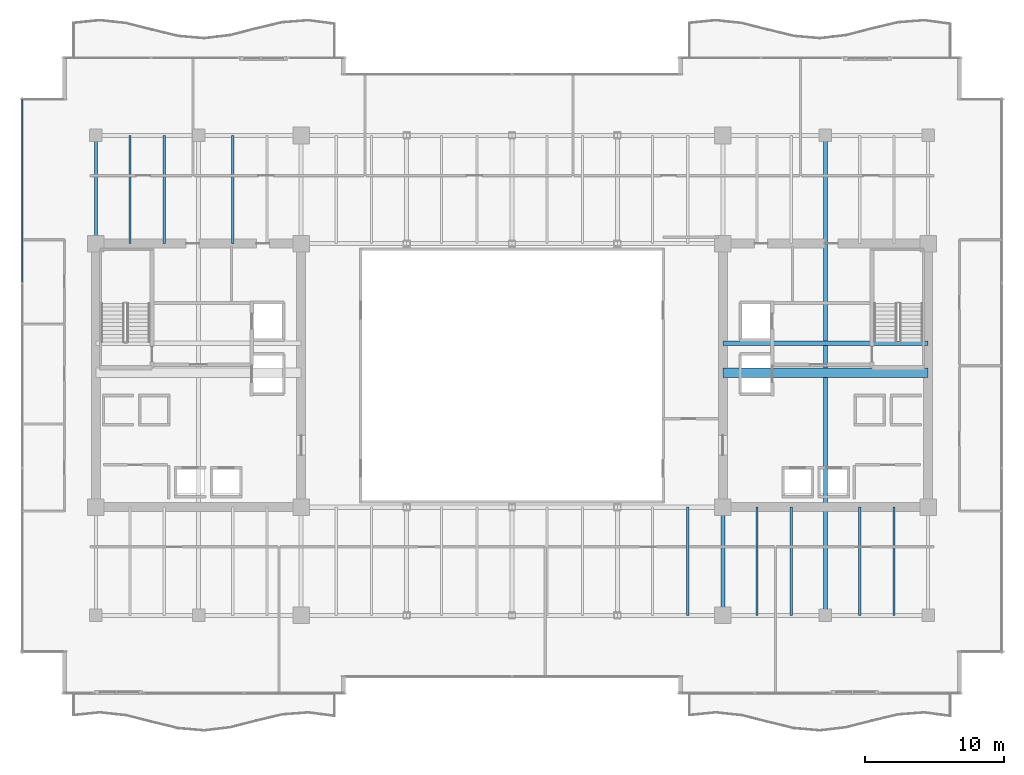
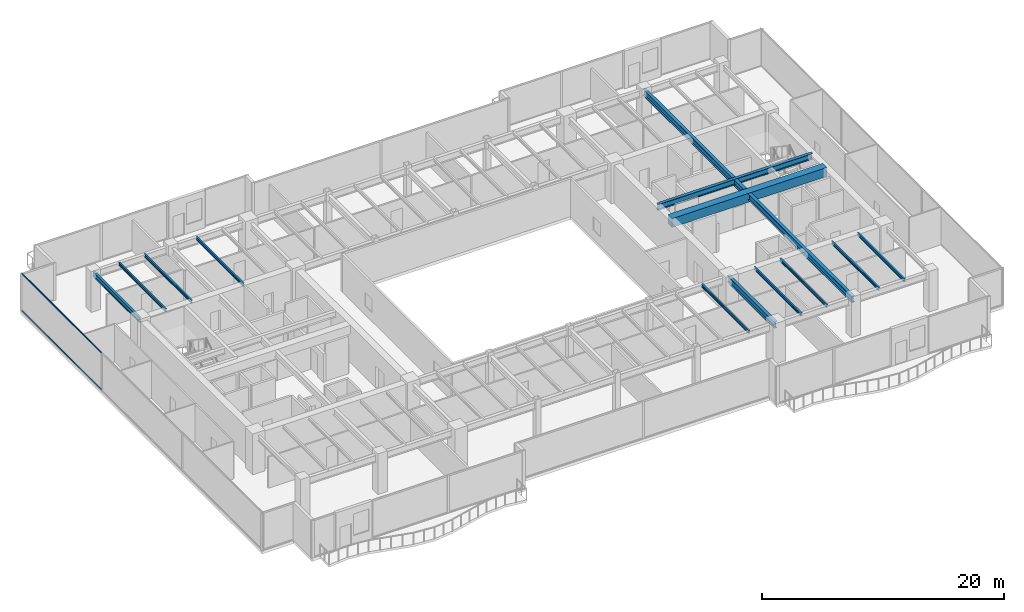
# One storey, part 11 of 30: 13 beams, 2 members, 1 element without a shape of its own.
"""IFC4 building model written with IfcOpenShell, lengths in metres."""

from ifc_helpers import new_model, si_unit, direction, frame, origin, origin_2d, place, context, subcontext, project, spatial, rectangle, hollow_rectangle, i_section, extrude, source, transform, mapped, material, layer, layer_set, material_profile, profile_set, type_object, type_shapes, element, aggregate, save


model = new_model("IFC4")

# Units and contexts
model_context = context("Model", 3, precision=1e-05, world=origin(), true_north=direction((0.0, 1.0)))
body_context = subcontext(model_context, "Body", "Model", "MODEL_VIEW")
ifc_project = project(units=[si_unit("LENGTHUNIT", "METRE"), si_unit("AREAUNIT", "SQUARE_METRE"), si_unit("VOLUMEUNIT", "CUBIC_METRE"), si_unit("PLANEANGLEUNIT", "RADIAN"), si_unit("MASSUNIT", "GRAM", prefix="KILO")], contexts=[model_context])

# Site, building, storey
site_placement = place(None, origin())
site = spatial("IfcSite", under=ifc_project, at=site_placement, CompositionType="ELEMENT")
building_placement = place(site_placement, origin())
building = spatial("IfcBuilding", under=site, at=building_placement, Name="Haelvirn Gate Laboratories", CompositionType="ELEMENT")
storey_placement = place(building_placement, frame((0.0, 0.0, 113.300048828125)))
storey = spatial("IfcBuildingStorey", under=building, at=storey_placement, Name="L27", CompositionType="ELEMENT", Elevation=113.300048828125)

# Beams
ifc_material_1 = material(Name="Concrete C60/75", Category="concrete")
ifc_material_profile_1 = material_profile(ifc_material_1, rectangle(XDim=0.699951171875, YDim=0.89990234375, at=origin_2d()), Name="RCB-700x900")
ifc_profile_set_1 = profile_set([ifc_material_profile_1], Name="Concrete C60/75")
beam_type_1 = type_object("IfcBeamType", Name="BM-RCB-900", PredefinedType="LINTEL", material=ifc_profile_set_1)
shared_shape_1 = source(origin(), body_context, "Body", "SweptSolid", [
    extrude(rectangle(XDim=0.699951171875, YDim=0.89990234375, at=origin_2d()), origin(), (0.0, 0.0, 1.0), 14.7998046875),
])
type_shapes(beam_type_1, [shared_shape_1])
beam_1_placement = place(storey_placement, frame((52.60009765625, 24.5, 3.33984375), z_axis=(1.0, 0.0, 0.0), x_axis=(0.0, 1.0, 0.0)))
element("IfcBeam", 1, at=beam_1_placement, inside=storey, type_object=beam_type_1, Name="L27 East Core Coupling Beam", PredefinedType="LINTEL", context=body_context, shape_type="MappedRepresentation", body=[
    mapped(shared_shape_1, transform((0.0, 0.0, 0.0), scale=1.0)),
])
ifc_material_2 = material(Name="Steel SM355", Category="steel")
ifc_material_profile_2 = material_profile(ifc_material_2, i_section(OverallWidth=0.300048828125, OverallDepth=0.587890625, WebThickness=0.011962890625, FlangeThickness=0.02001953125, at=origin_2d()), Name="H-588x300x12x20")
ifc_profile_set_2 = profile_set([ifc_material_profile_2], Name="Steel SM355")
beam_type_2 = type_object("IfcBeamType", Name="BM-G-588", PredefinedType="BEAM", material=ifc_profile_set_2)
shared_shape_2 = source(origin(), body_context, "Body", "SweptSolid", [
    extrude(i_section(OverallWidth=0.300048828125, OverallDepth=0.587890625, WebThickness=0.011962890625, FlangeThickness=0.02001953125, at=origin_2d()), origin(), (0.0, 0.0, 1.0), 14.7998046875),
])
type_shapes(beam_type_2, [shared_shape_2])
beam_2_placement = place(storey_placement, frame((52.60009765625, 26.6201171875, 3.495849609375), z_axis=(1.0, 0.0, 0.0), x_axis=(0.0, 1.0, 0.0)))
element("IfcBeam", 2, at=beam_2_placement, inside=storey, type_object=beam_type_2, Name="L27 Stair ST2 Landing Header", PredefinedType="BEAM", context=body_context, shape_type="MappedRepresentation", body=[
    mapped(shared_shape_2, transform((0.0, 0.0, 0.0), scale=1.0)),
])
ifc_material_profile_3 = material_profile(ifc_material_2, i_section(OverallWidth=0.199951171875, OverallDepth=0.5, WebThickness=0.010009765625, FlangeThickness=0.01611328125, at=origin_2d()), Name="H-500x200x10x16")
ifc_profile_set_3 = profile_set([ifc_material_profile_3], Name="Steel SM355")
beam_type_3 = type_object("IfcBeamType", Name="BM-SP-500", PredefinedType="SPANDREL", material=ifc_profile_set_3)
shared_shape_3 = source(origin(), body_context, "Body", "SweptSolid", [
    extrude(i_section(OverallWidth=0.199951171875, OverallDepth=0.5, WebThickness=0.010009765625, FlangeThickness=0.01611328125, at=origin_2d()), origin(), (0.0, 0.0, 1.0), 7.800048828125),
])
type_shapes(beam_type_3, [shared_shape_3])
beam_3_placement = place(storey_placement, frame((7.39990234375, 33.800048828125, 3.5400390625), z_axis=(0.0, 1.0, 0.0), x_axis=(-1.0, 0.0, 0.0)))
element("IfcBeam", 3, at=beam_3_placement, inside=storey, type_object=beam_type_3, Name="L27 Perimeter Spandrel X7.4 (33.8-41.6)", PredefinedType="SPANDREL", context=body_context, shape_type="MappedRepresentation", body=[
    mapped(shared_shape_3, transform((0.0, 0.0, 0.0), scale=1.0)),
])
ifc_material_profile_4 = material_profile(ifc_material_2, i_section(OverallWidth=0.300048828125, OverallDepth=0.64990234375, WebThickness=0.012939453125, FlangeThickness=0.02197265625, at=origin_2d()), Name="H-650x300x13x22")
ifc_profile_set_4 = profile_set([ifc_material_profile_4], Name="Steel SM355")
beam_type_4 = type_object("IfcBeamType", Name="BM-G-650", PredefinedType="BEAM", material=ifc_profile_set_4)
shared_shape_4 = source(origin(), body_context, "Body", "SweptSolid", [
    extrude(i_section(OverallWidth=0.300048828125, OverallDepth=0.64990234375, WebThickness=0.012939453125, FlangeThickness=0.02197265625, at=origin_2d()), origin(), (0.0, 0.0, 1.0), 34.60009765625),
])
beam_4_placement = place(storey_placement, frame((60.0, 7.0, 3.46484375), z_axis=(0.0, 1.0, 0.0), x_axis=(-1.0, 0.0, 0.0)))
element("IfcBeam", 4, at=beam_4_placement, inside=storey, type_object=beam_type_4, Name="L27 Frame Girder X60.0 (7.0-41.6)", PredefinedType="BEAM", context=body_context, shape_type="MappedRepresentation", body=[
    mapped(shared_shape_4, transform((0.0, 0.0, 0.0), scale=1.0)),
])
shared_shape_5 = source(origin(), body_context, "Body", "SweptSolid", [
    extrude(i_section(OverallWidth=0.300048828125, OverallDepth=0.64990234375, WebThickness=0.012939453125, FlangeThickness=0.02197265625, at=origin_2d()), origin(), (0.0, 0.0, 1.0), 7.800048828125),
])
type_shapes(beam_type_4, [shared_shape_4, shared_shape_5])
beam_5_placement = place(storey_placement, frame((52.60009765625, 7.0, 3.46484375), z_axis=(0.0, 1.0, 0.0), x_axis=(-1.0, 0.0, 0.0)))
element("IfcBeam", 5, at=beam_5_placement, inside=storey, type_object=beam_type_4, Name="L27 Frame Girder X52.6 (7.0-14.8)", PredefinedType="BEAM", context=body_context, shape_type="MappedRepresentation", body=[
    mapped(shared_shape_5, transform((0.0, 0.0, 0.0), scale=1.0)),
])
ifc_material_profile_5 = material_profile(ifc_material_2, i_section(OverallWidth=0.14990234375, OverallDepth=0.300048828125, WebThickness=0.006591796875, FlangeThickness=0.009033203125, at=origin_2d()), Name="H-300x150x6.5x9")
ifc_profile_set_5 = profile_set([ifc_material_profile_5], Name="Steel SM355")
beam_type_5 = type_object("IfcBeamType", Name="BM-J-300", PredefinedType="JOIST", material=ifc_profile_set_5)
shared_shape_6 = source(origin(), body_context, "Body", "SweptSolid", [
    extrude(i_section(OverallWidth=0.14990234375, OverallDepth=0.300048828125, WebThickness=0.006591796875, FlangeThickness=0.009033203125, at=origin_2d()), origin(), (0.0, 0.0, 1.0), 7.800048828125),
])
type_shapes(beam_type_5, [shared_shape_6])
for number, where, z_axis, x_axis, name in (
    (6, (9.8701171875, 33.800048828125, 3.639892578125), (0.0, 1.0, 0.0), (-1.0, 0.0, 0.0), "L27 Composite Lab Joist North X9.87"),
    (7, (12.330078125, 33.800048828125, 3.639892578125), (0.0, 1.0, 0.0), (-1.0, 0.0, 0.0), "L27 Composite Lab Joist North X12.33"),
    (8, (17.27001953125, 33.800048828125, 3.639892578125), (0.0, 1.0, 0.0), (-1.0, 0.0, 0.0), "L27 Composite Lab Joist North X17.27"),
    (9, (50.070068359375, 7.0, 3.639892578125), (0.0, 1.0, 0.0), (-1.0, 0.0, 0.0), "L27 Composite Lab Joist South X50.07"),
    (10, (55.070068359375, 7.0, 3.639892578125), (0.0, 1.0, 0.0), (-1.0, 0.0, 0.0), "L27 Composite Lab Joist South X55.07"),
    (11, (57.530029296875, 7.0, 3.639892578125), (0.0, 1.0, 0.0), (-1.0, 0.0, 0.0), "L27 Composite Lab Joist South X57.53"),
    (12, (62.469970703125, 7.0, 3.639892578125), (0.0, 1.0, 0.0), (-1.0, 0.0, 0.0), "L27 Composite Lab Joist South X62.47"),
    (13, (64.929931640625, 7.0, 3.639892578125), (0.0, 1.0, 0.0), (-1.0, 0.0, 0.0), "L27 Composite Lab Joist South X64.93"),
):
    element("IfcBeam", number, at=place(storey_placement, frame(where, z_axis=z_axis, x_axis=x_axis)), inside=storey, type_object=beam_type_5, Name=name, PredefinedType="JOIST", context=body_context, shape_type="MappedRepresentation", body=[
        mapped(shared_shape_6, transform((0.0, 0.0, 0.0), scale=1.0)),
    ])

# Curtain wall, members
ifc_material_3 = material(Name="Anodised bronze unitised aluminium & triple low-E glass", Category="aluminium")
ifc_layer = layer(ifc_material_3, 0.179931640625, Name="CW-SYS-3")
ifc_layer_set = layer_set([ifc_layer], Name="Anodised bronze unitised aluminium & triple low-E glass")
curtain_wall_type = type_object("IfcCurtainWallType", Name="CW-SYS-3", PredefinedType="NOTDEFINED", material=ifc_layer_set)
curtain_wall_placement = place(storey_placement, origin())
curtain_wall = element("IfcCurtainWall", 14, at=curtain_wall_placement, inside=storey, type_object=curtain_wall_type, Name="L27 Unitised Curtain Wall CW-L27-P0-E17", PredefinedType="NOTDEFINED")
ifc_material_4 = material(Name="Extruded aluminium 6063-T6 (anodised bronze)", Category="aluminium")
ifc_material_profile_6 = material_profile(ifc_material_4, hollow_rectangle(XDim=0.06494140625, YDim=0.139892578125, WallThickness=0.00390625, at=origin_2d()), Name="CWT-140x65x4")
ifc_profile_set_6 = profile_set([ifc_material_profile_6], Name="Extruded aluminium 6063-T6 (anodised bronze)")
member_type = type_object("IfcMemberType", Name="CWT-T140", PredefinedType="USERDEFINED", material=ifc_profile_set_6)
shared_shape_7 = source(origin(), body_context, "Body", "SweptSolid", [
    extrude(hollow_rectangle(XDim=0.06494140625, YDim=0.139892578125, WallThickness=0.00390625, at=origin_2d()), origin(), (0.0, 0.0, 1.0), 13.220947265625),
])
type_shapes(member_type, [shared_shape_7])
member_1_placement = place(storey_placement, frame((2.10009765625, 44.22509765625, 0.032470703125), z_axis=(0.0, -1.0, 0.0), x_axis=(1.0, 0.0, 0.0)))
member_1 = element("IfcMember", 15, at=member_1_placement, type_object=member_type, Name="CW3 transom 1.1", ObjectType="TRANSOM", PredefinedType="USERDEFINED", context=body_context, shape_type="MappedRepresentation", body=[
    mapped(shared_shape_7, transform((0.0, 0.0, 0.0), scale=1.0)),
])
member_2_placement = place(storey_placement, frame((2.10009765625, 44.22509765625, 3.757568359375), z_axis=(0.0, -1.0, 0.0), x_axis=(1.0, 0.0, 0.0)))
member_2 = element("IfcMember", 16, at=member_2_placement, type_object=member_type, Name="CW3 transom 1.2", ObjectType="TRANSOM", PredefinedType="USERDEFINED", context=body_context, shape_type="MappedRepresentation", body=[
    mapped(shared_shape_7, transform((0.0, 0.0, 0.0), scale=1.0)),
])
aggregate(curtain_wall, [member_1, member_2])

save(model, "model.ifc")
